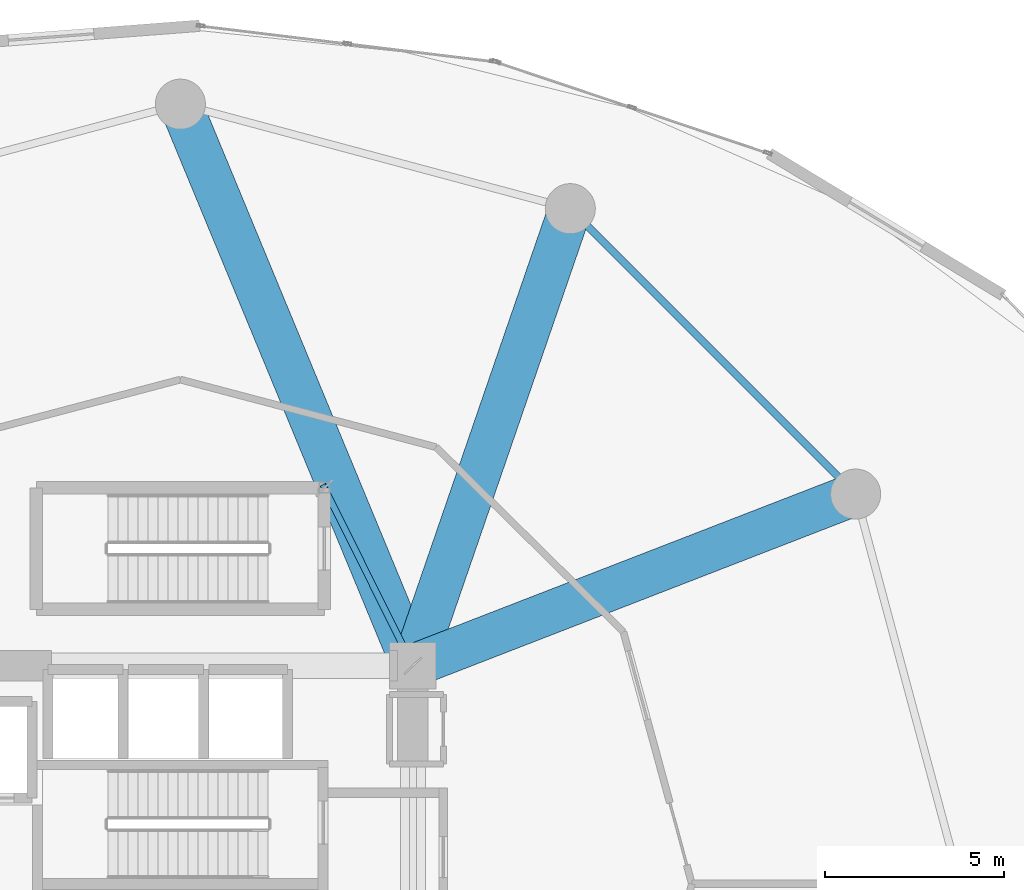
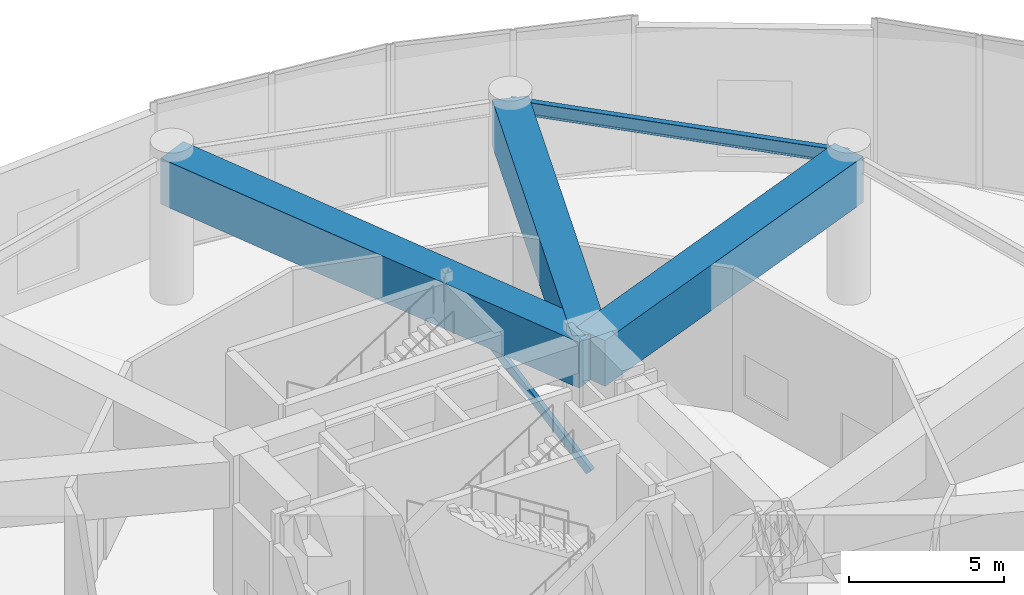
# One storey, part 17 of 28: 4 beams, 1 member.
"""IFC4 building model written with IfcOpenShell, lengths in metres."""

from ifc_helpers import new_model, si_unit, direction, frame, origin, origin_2d, place, context, subcontext, project, spatial, rectangle, hollow_rectangle, i_section, extrude, material, material_profile, profile_set, type_object, element, save


model = new_model("IFC4")

# Units and contexts
model_context = context("Model", 3, precision=1e-05, world=origin(), true_north=direction((0.0, 1.0)))
body_context = subcontext(model_context, "Body", "Model", "MODEL_VIEW")
ifc_project = project(units=[si_unit("LENGTHUNIT", "METRE"), si_unit("AREAUNIT", "SQUARE_METRE"), si_unit("VOLUMEUNIT", "CUBIC_METRE"), si_unit("PLANEANGLEUNIT", "RADIAN"), si_unit("MASSUNIT", "GRAM", prefix="KILO")], contexts=[model_context])

# Site, building, storey
site_placement = place(None, origin())
site = spatial("IfcSite", under=ifc_project, at=site_placement, CompositionType="ELEMENT")
building_placement = place(site_placement, origin())
building = spatial("IfcBuilding", under=site, at=building_placement, Name="Solvirekh Grand Hotel", CompositionType="ELEMENT")
storey_placement = place(building_placement, frame((0.0, 0.0, 12.60009765625)))
storey = spatial("IfcBuildingStorey", under=building, at=storey_placement, Name="L02", CompositionType="ELEMENT", Elevation=12.60009765625)

# Beam
ifc_material_1 = material(Name="Steel S355", Category="steel")
ifc_material_profile_1 = material_profile(ifc_material_1, i_section(OverallWidth=0.208984375, OverallDepth=0.532958984375, WebThickness=0.010009765625, FlangeThickness=0.014892578125, FilletRadius=0.013916015625, at=origin_2d()), Name="W530X92")
ifc_profile_set_1 = profile_set([ifc_material_profile_1], Name="Steel S355")
beam_type_1 = type_object("IfcBeamType", Name="Spandrel_Ring_W530", PredefinedType="SPANDREL", material=ifc_profile_set_1)
beam_1_placement = place(storey_placement, frame((18.87890625, 10.89990234375, 5.372802734375), z_axis=(-0.707106781187, 0.707106781187, 0.0), x_axis=(-0.707106781187, -0.707106781187, 0.0)))
element("IfcBeam", 1, at=beam_1_placement, inside=storey, type_object=beam_type_1, Name="L02 perimeter spandrel beam 2", PredefinedType="SPANDREL", context=body_context, shape_type="SweptSolid", body=[
    extrude(i_section(OverallWidth=0.208984375, OverallDepth=0.532958984375, WebThickness=0.010009765625, FlangeThickness=0.014892578125, FilletRadius=0.013916015625, at=origin_2d()), origin(), (0.0, 0.0, 1.0), 11.283935546875),
])

# Member
ifc_material_profile_2 = material_profile(ifc_material_1, hollow_rectangle(XDim=0.179931640625, YDim=0.300048828125, WallThickness=0.011962890625, at=origin_2d()), Name="RHS 300X180X12")
ifc_profile_set_2 = profile_set([ifc_material_profile_2], Name="Steel S355")
member_type = type_object("IfcMemberType", Name="Stringer_Stair_RHS300", PredefinedType="STRINGER", material=ifc_profile_set_2)
member_placement = place(storey_placement, frame((6.5, 6.10009765625, 0.25), z_axis=(-0.32523530124, 0.653710764783, 0.683289276101), x_axis=(-0.895312965643, -0.445437642719, 0.0)))
element("IfcMember", 2, at=member_placement, inside=storey, type_object=member_type, Name="L02 feature stair ST-4 steel stringer", PredefinedType="STRINGER", context=body_context, shape_type="SweptSolid", body=[
    extrude(hollow_rectangle(XDim=0.179931640625, YDim=0.300048828125, WallThickness=0.011962890625, at=origin_2d()), origin(), (0.0, 0.0, 1.0), 7.610107421875),
])

# Beams
ifc_material_2 = material(Name="Concrete C60/75", Category="concrete")
ifc_material_profile_3 = material_profile(ifc_material_2, rectangle(XDim=1.199951171875, YDim=1.800048828125, at=origin_2d()), Name="RC GIRDER 1200X1800")
ifc_profile_set_3 = profile_set([ifc_material_profile_3], Name="Concrete C60/75")
beam_type_2 = type_object("IfcBeamType", Name="TransferGirder_RC1800", PredefinedType="USERDEFINED", material=ifc_profile_set_3)
beam_2_placement = place(storey_placement, frame((6.5, 6.10009765625, 4.739990234375), z_axis=(0.932365862704, 0.361516110381, 0.0), x_axis=(-0.361516110381, 0.932365862704, 0.0)))
element("IfcBeam", 3, at=beam_2_placement, inside=storey, type_object=beam_type_2, Name="L02 radial transfer girder 2", ObjectType="TRANSFER GIRDER", PredefinedType="USERDEFINED", context=body_context, shape_type="SweptSolid", body=[
    extrude(rectangle(XDim=1.199951171875, YDim=1.800048828125, at=origin_2d()), origin(), (0.0, 0.0, 1.0), 13.27685546875),
])
beam_3_placement = place(storey_placement, frame((6.5, 6.10009765625, 4.739990234375), z_axis=(0.325555300394, 0.94552300151, 0.0), x_axis=(-0.94552300151, 0.325555300394, 0.0)))
element("IfcBeam", 4, at=beam_3_placement, inside=storey, type_object=beam_type_2, Name="L02 radial transfer girder 3", ObjectType="TRANSFER GIRDER", PredefinedType="USERDEFINED", context=body_context, shape_type="SweptSolid", body=[
    extrude(rectangle(XDim=1.199951171875, YDim=1.800048828125, at=origin_2d()), origin(), (0.0, 0.0, 1.0), 13.51513671875),
])
beam_4_placement = place(storey_placement, frame((6.5, 6.10009765625, 4.739990234375), z_axis=(-0.382526065589, 0.923944700264, 0.0), x_axis=(-0.923944700264, -0.382526065589, 0.0)))
element("IfcBeam", 5, at=beam_4_placement, inside=storey, type_object=beam_type_2, Name="L02 radial transfer girder 4", ObjectType="TRANSFER GIRDER", PredefinedType="USERDEFINED", context=body_context, shape_type="SweptSolid", body=[
    extrude(rectangle(XDim=1.199951171875, YDim=1.800048828125, at=origin_2d()), origin(), (0.0, 0.0, 1.0), 16.9921875),
])

save(model, "model.ifc")
